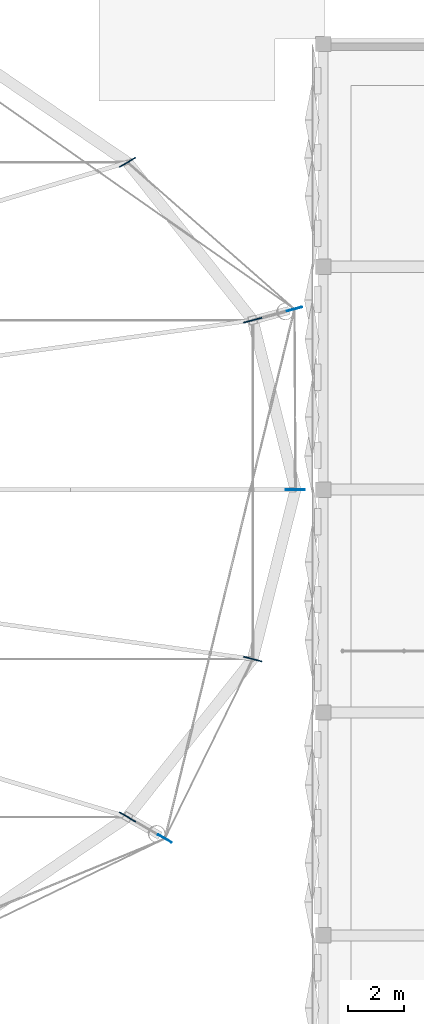
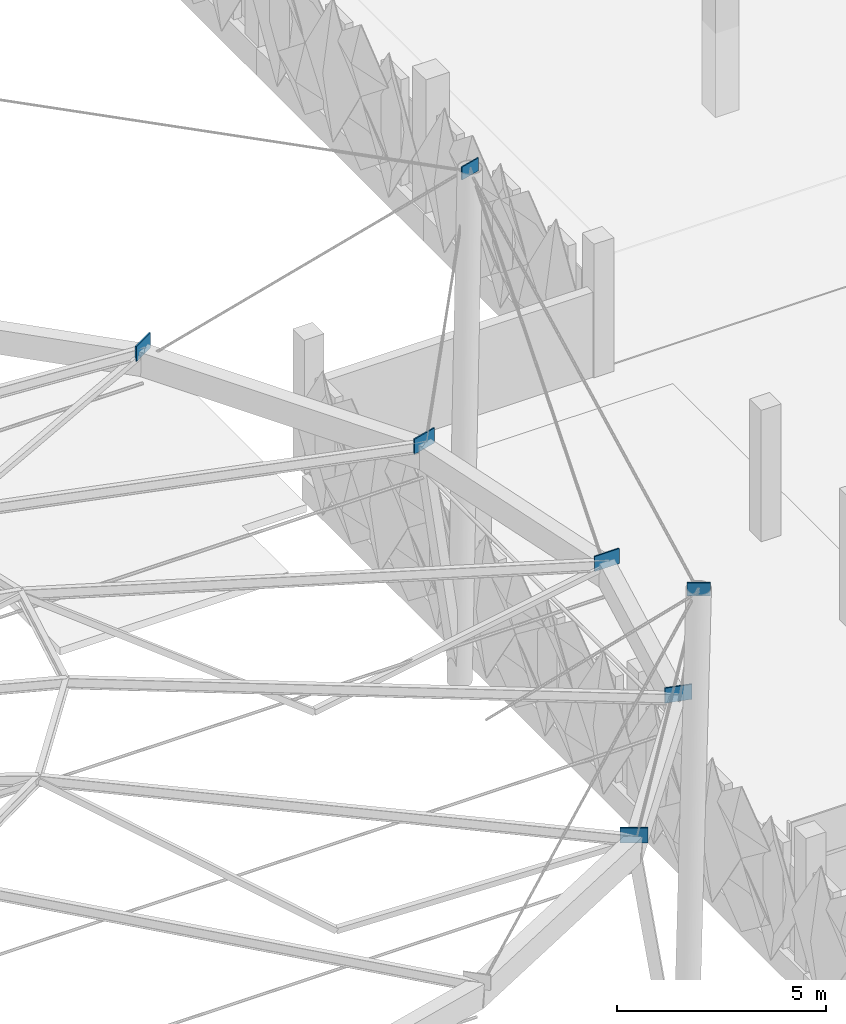
# One storey, part 45 of 96: 7 plates.
"""IFC4 building model written with IfcOpenShell, lengths in metres."""

from ifc_helpers import new_model, si_unit, derived_unit, direction, frame, origin, origin_2d, place, context, subcontext, project, spatial, rectangle, extrude, material, layer, layer_set, type_object, element, save


model = new_model("IFC4")

# Units and contexts
model_context = context("Model", 3, precision=1e-05, world=origin(), true_north=direction((0.0, 1.0)))
body_context = subcontext(model_context, "Body", "Model", "MODEL_VIEW")
ifc_project = project(units=[si_unit("LENGTHUNIT", "METRE"), si_unit("AREAUNIT", "SQUARE_METRE"), si_unit("VOLUMEUNIT", "CUBIC_METRE"), si_unit("PLANEANGLEUNIT", "RADIAN"), si_unit("MASSUNIT", "GRAM", prefix="KILO"), si_unit("THERMODYNAMICTEMPERATUREUNIT", "KELVIN"), derived_unit("THERMALTRANSMITTANCEUNIT", [(si_unit("POWERUNIT", "WATT"), 1), (si_unit("AREAUNIT", "SQUARE_METRE"), -1), (si_unit("THERMODYNAMICTEMPERATUREUNIT", "KELVIN"), -1)])], contexts=[model_context])

# Site, building, storey
site_placement = place(None, origin())
site = spatial("IfcSite", under=ifc_project, at=site_placement, CompositionType="ELEMENT")
building_placement = place(site_placement, origin())
building = spatial("IfcBuilding", under=site, at=building_placement, Name="Haiyu Intermodal Mobility Hub", CompositionType="ELEMENT")
storey_placement = place(building_placement, frame((0.0, 0.0, 9.5)))
storey = spatial("IfcBuildingStorey", under=building, at=storey_placement, Name="L02", CompositionType="ELEMENT", Elevation=9.5)

# Plates
ifc_material = material(Name="Steel Q355C", Category="steel")
ifc_layer_1 = layer(ifc_material, 0.035888671875)
ifc_layer_set_1 = layer_set([ifc_layer_1], Name="Steel Q355C")
plate_type_1 = type_object("IfcPlateType", Name="PLT-GP01", PredefinedType="USERDEFINED", material=ifc_layer_set_1)
for number, where, z_axis, x_axis, name in (
    (1, (153.0, 64.0, 7.06005859375), (0.0, 0.0, 1.0), (1.0, 0.0, 0.0), "Ring Cable Clamp Gusset Plate GP-R01"),
    (2, (151.467041015625, 70.08203125, 7.382080078125), (0.0, 0.0, 1.0), (0.965925826289, 0.258819045103, 0.0), "Ring Cable Clamp Gusset Plate GP-R02"),
    (3, (146.970947265625, 75.75, 8.260009765625), (0.0, 0.0, 1.0), (0.866025403784, 0.5, 0.0), "Ring Cable Clamp Gusset Plate GP-R03"),
    (4, (146.970947265625, 52.25, 8.260009765625), (0.0, 0.0, 1.0), (0.866025403784, -0.5, 0.0), "Ring Cable Clamp Gusset Plate GP-R23"),
    (5, (151.467041015625, 57.91796875, 7.382080078125), (0.0, 0.0, 1.0), (0.965925826289, -0.258819045103, 0.0), "Ring Cable Clamp Gusset Plate GP-R24"),
):
    element("IfcPlate", number, at=place(storey_placement, frame(where, z_axis=z_axis, x_axis=x_axis)), inside=storey, type_object=plate_type_1, Name=name, ObjectType="GUSSET PLATE", PredefinedType="USERDEFINED", context=body_context, shape_type="SweptSolid", body=[
        extrude(rectangle(XDim=0.679931640625, YDim=0.035888671875, at=origin_2d()), origin(), (0.0, 0.0, 1.0), 0.43994140625),
    ])
ifc_layer_2 = layer(ifc_material, 0.031982421875)
ifc_layer_set_2 = layer_set([ifc_layer_2], Name="Steel Q355C")
plate_type_2 = type_object("IfcPlateType", Name="PLT-GP02", PredefinedType="USERDEFINED", material=ifc_layer_set_2)
for number, where, z_axis, x_axis, name in (
    (6, (152.964111328125, 70.48291015625, 14.592041015625), (0.0, 0.0, 1.0), (0.965925826289, 0.258819045103, 0.0), "Masthead Stay Anchor Plate GP-M01"),
    (7, (148.31298828125, 51.47509765625, 15.469970703125), (0.0, 0.0, 1.0), (0.866025403784, -0.5, 0.0), "Masthead Stay Anchor Plate GP-M08"),
):
    element("IfcPlate", number, at=place(storey_placement, frame(where, z_axis=z_axis, x_axis=x_axis)), inside=storey, type_object=plate_type_2, Name=name, ObjectType="GUSSET PLATE", PredefinedType="USERDEFINED", context=body_context, shape_type="SweptSolid", body=[
        extrude(rectangle(XDim=0.56005859375, YDim=0.031982421875, at=origin_2d()), origin(), (0.0, 0.0, 1.0), 0.3798828125),
    ])

save(model, "model.ifc")
